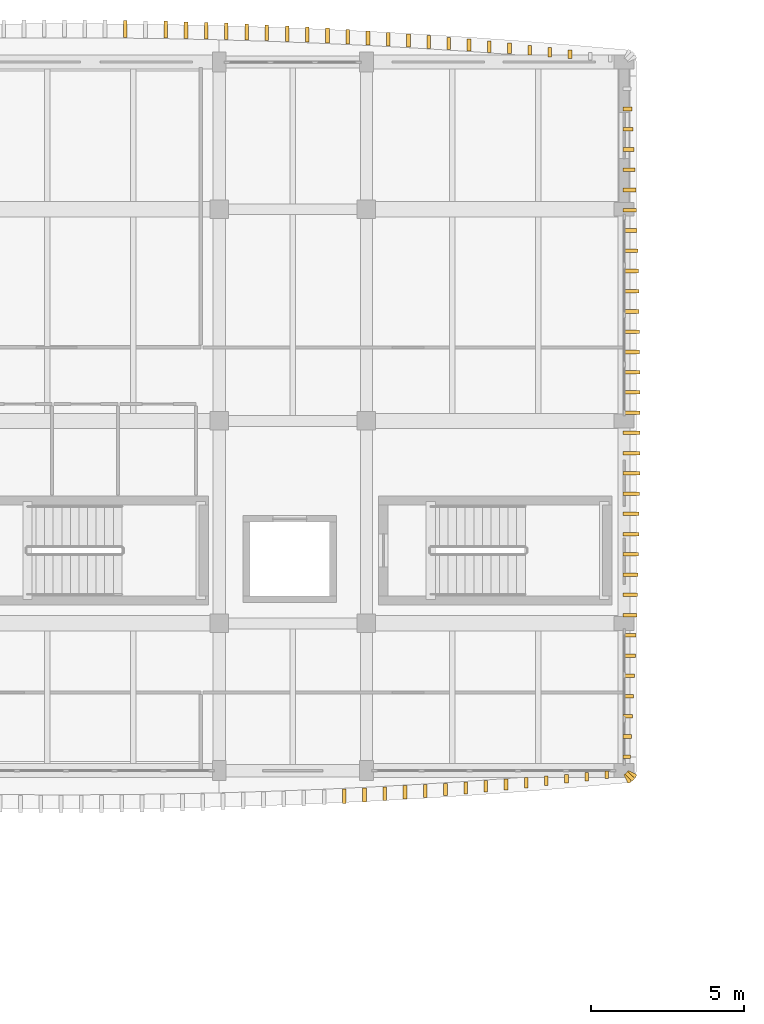
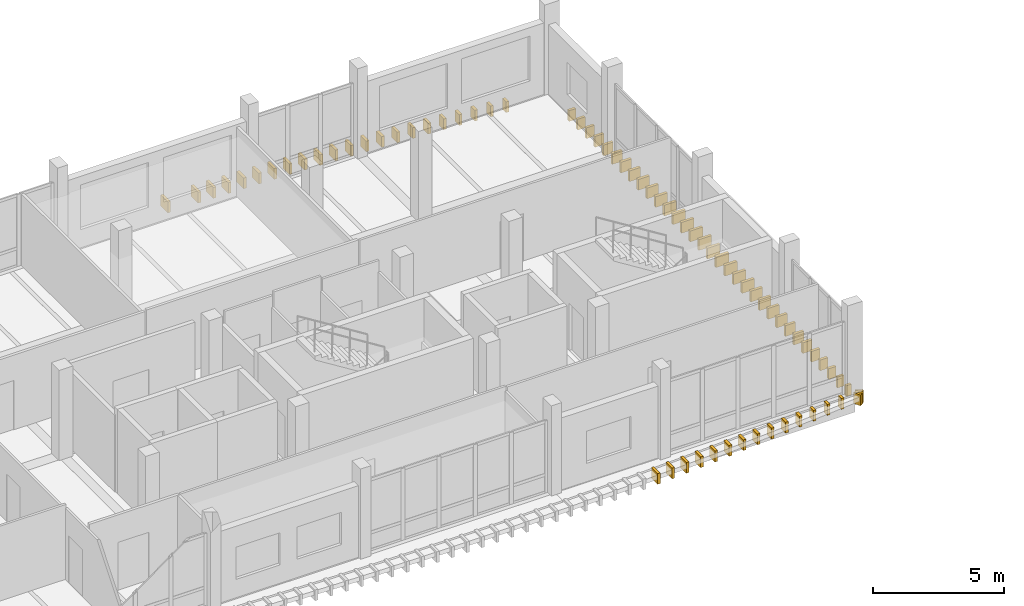
# One storey, part 19 of 20: 72 coverings.
"""IFC4 building model written with IfcOpenShell, lengths in metres."""

from ifc_helpers import new_model, si_unit, direction, frame, origin, origin_2d, place, context, subcontext, project, spatial, rectangle, extrude, material, layer, layer_set, type_object, element, save


model = new_model("IFC4")

# Units and contexts
model_context = context("Model", 3, precision=1e-05, world=origin(), true_north=direction((0.0, 1.0)))
body_context = subcontext(model_context, "Body", "Model", "MODEL_VIEW")
ifc_project = project(units=[si_unit("LENGTHUNIT", "METRE"), si_unit("AREAUNIT", "SQUARE_METRE"), si_unit("VOLUMEUNIT", "CUBIC_METRE"), si_unit("PLANEANGLEUNIT", "RADIAN"), si_unit("MASSUNIT", "GRAM", prefix="KILO")], contexts=[model_context])

# Site, building, storey
site_placement = place(None, origin())
site = spatial("IfcSite", under=ifc_project, at=site_placement, CompositionType="ELEMENT")
building_placement = place(site_placement, origin())
building = spatial("IfcBuilding", under=site, at=building_placement, Name="Dornvale Research Institute", CompositionType="ELEMENT")
storey_placement = place(building_placement, frame((0.0, 0.0, 34.199951171875)))
storey = spatial("IfcBuildingStorey", under=building, at=storey_placement, Name="L07", CompositionType="ELEMENT", Elevation=34.199951171875)

# Coverings
ifc_material = material(Name="Polychrome Glazed Terracotta Visor Rib Ceramic", Category="masonry")
ifc_layer = layer(ifc_material, 0.1201171875)
ifc_layer_set = layer_set([ifc_layer], Name="Polychrome Glazed Terracotta Visor Rib Ceramic")
covering_type = type_object("IfcCoveringType", Name="Covering_VisorBlade_Main", PredefinedType="CLADDING", material=ifc_layer_set)
covering_1_placement = place(storey_placement, frame((32.280517578125, 98.168212890625, -0.489990234375), z_axis=(0.0, 0.0, 1.0), x_axis=(0.0, 1.0, 0.0)))
element("IfcCovering", 1, at=covering_1_placement, inside=storey, type_object=covering_type, Name="L07 V5 canted glazed terracotta visor blade #1236", PredefinedType="CLADDING", context=body_context, shape_type="SweptSolid", body=[
    extrude(rectangle(XDim=0.47509765625, YDim=0.1201171875, at=origin_2d()), origin(), (0.0, 0.0, 1.0), 0.5),
])
covering_2_placement = place(storey_placement, frame((32.939697265625, 98.205322265625, -0.489990234375), z_axis=(0.0, 0.0, 1.0), x_axis=(0.0, 1.0, 0.0)))
element("IfcCovering", 2, at=covering_2_placement, inside=storey, type_object=covering_type, Name="L07 V5 canted glazed terracotta visor blade #1237", PredefinedType="CLADDING", context=body_context, shape_type="SweptSolid", body=[
    extrude(rectangle(XDim=0.4619140625, YDim=0.1201171875, at=origin_2d()), origin(), (0.0, 0.0, 1.0), 0.5),
])
covering_3_placement = place(storey_placement, frame((33.5986328125, 98.247314453125, -0.489990234375), z_axis=(0.0, 0.0, 1.0), x_axis=(0.0, 1.0, 0.0)))
element("IfcCovering", 3, at=covering_3_placement, inside=storey, type_object=covering_type, Name="L07 V5 canted glazed terracotta visor blade #1238", PredefinedType="CLADDING", context=body_context, shape_type="SweptSolid", body=[
    extrude(rectangle(XDim=0.447998046875, YDim=0.1201171875, at=origin_2d()), origin(), (0.0, 0.0, 1.0), 0.5),
])
covering_4_placement = place(storey_placement, frame((34.2578125, 98.290283203125, -0.489990234375), z_axis=(0.0, 0.0, 1.0), x_axis=(0.0, 1.0, 0.0)))
element("IfcCovering", 4, at=covering_4_placement, inside=storey, type_object=covering_type, Name="L07 V5 canted glazed terracotta visor blade #1239", PredefinedType="CLADDING", context=body_context, shape_type="SweptSolid", body=[
    extrude(rectangle(XDim=0.43408203125, YDim=0.1201171875, at=origin_2d()), origin(), (0.0, 0.0, 1.0), 0.5),
])
covering_5_placement = place(storey_placement, frame((34.916748046875, 98.3359375, -0.489990234375), z_axis=(0.0, 0.0, 1.0), x_axis=(0.0, 1.0, 0.0)))
element("IfcCovering", 5, at=covering_5_placement, inside=storey, type_object=covering_type, Name="L07 V5 canted glazed terracotta visor blade #1240", PredefinedType="CLADDING", context=body_context, shape_type="SweptSolid", body=[
    extrude(rectangle(XDim=0.41796875, YDim=0.1201171875, at=origin_2d()), origin(), (0.0, 0.0, 1.0), 0.5),
])
covering_6_placement = place(storey_placement, frame((35.575439453125, 98.3857421875, -0.489990234375), z_axis=(0.0, 0.0, 1.0), x_axis=(0.0, 1.0, 0.0)))
element("IfcCovering", 6, at=covering_6_placement, inside=storey, type_object=covering_type, Name="L07 V5 canted glazed terracotta visor blade #1241", PredefinedType="CLADDING", context=body_context, shape_type="SweptSolid", body=[
    extrude(rectangle(XDim=0.402099609375, YDim=0.1201171875, at=origin_2d()), origin(), (0.0, 0.0, 1.0), 0.5),
])
covering_7_placement = place(storey_placement, frame((36.23388671875, 98.43603515625, -0.489990234375), z_axis=(0.0, 0.0, 1.0), x_axis=(0.0, 1.0, 0.0)))
element("IfcCovering", 7, at=covering_7_placement, inside=storey, type_object=covering_type, Name="L07 V5 canted glazed terracotta visor blade #1242", PredefinedType="CLADDING", context=body_context, shape_type="SweptSolid", body=[
    extrude(rectangle(XDim=0.385009765625, YDim=0.1201171875, at=origin_2d()), origin(), (0.0, 0.0, 1.0), 0.5),
])
covering_8_placement = place(storey_placement, frame((36.892333984375, 98.49072265625, -0.489990234375), z_axis=(0.0, 0.0, 1.0), x_axis=(0.0, 1.0, 0.0)))
element("IfcCovering", 8, at=covering_8_placement, inside=storey, type_object=covering_type, Name="L07 V5 canted glazed terracotta visor blade #1243", PredefinedType="CLADDING", context=body_context, shape_type="SweptSolid", body=[
    extrude(rectangle(XDim=0.366943359375, YDim=0.1201171875, at=origin_2d()), origin(), (0.0, 0.0, 1.0), 0.5),
])
covering_9_placement = place(storey_placement, frame((37.55078125, 98.547607421875, -0.489990234375), z_axis=(0.0, 0.0, 1.0), x_axis=(0.0, 1.0, 0.0)))
element("IfcCovering", 9, at=covering_9_placement, inside=storey, type_object=covering_type, Name="L07 V5 canted glazed terracotta visor blade #1244", PredefinedType="CLADDING", context=body_context, shape_type="SweptSolid", body=[
    extrude(rectangle(XDim=0.347900390625, YDim=0.1201171875, at=origin_2d()), origin(), (0.0, 0.0, 1.0), 0.5),
])
covering_10_placement = place(storey_placement, frame((38.208984375, 98.60595703125, -0.489990234375), z_axis=(0.0, 0.0, 1.0), x_axis=(0.0, 1.0, 0.0)))
element("IfcCovering", 10, at=covering_10_placement, inside=storey, type_object=covering_type, Name="L07 V5 canted glazed terracotta visor blade #1245", PredefinedType="CLADDING", context=body_context, shape_type="SweptSolid", body=[
    extrude(rectangle(XDim=0.327880859375, YDim=0.1201171875, at=origin_2d()), origin(), (0.0, 0.0, 1.0), 0.5),
])
covering_11_placement = place(storey_placement, frame((38.866943359375, 98.668701171875, -0.489990234375), z_axis=(0.0, 0.0, 1.0), x_axis=(0.0, 1.0, 0.0)))
element("IfcCovering", 11, at=covering_11_placement, inside=storey, type_object=covering_type, Name="L07 V5 canted glazed terracotta visor blade #1246", PredefinedType="CLADDING", context=body_context, shape_type="SweptSolid", body=[
    extrude(rectangle(XDim=0.30810546875, YDim=0.1201171875, at=origin_2d()), origin(), (0.0, 0.0, 1.0), 0.5),
])
covering_12_placement = place(storey_placement, frame((39.524658203125, 98.732421875, -0.489990234375), z_axis=(0.0, 0.0, 1.0), x_axis=(0.0, 1.0, 0.0)))
element("IfcCovering", 12, at=covering_12_placement, inside=storey, type_object=covering_type, Name="L07 V5 canted glazed terracotta visor blade #1247", PredefinedType="CLADDING", context=body_context, shape_type="SweptSolid", body=[
    extrude(rectangle(XDim=0.285888671875, YDim=0.1201171875, at=origin_2d()), origin(), (0.0, 0.0, 1.0), 0.5),
])
covering_13_placement = place(storey_placement, frame((40.182373046875, 98.800048828125, -0.489990234375), z_axis=(0.0, 0.0, 1.0), x_axis=(0.0, 1.0, 0.0)))
element("IfcCovering", 13, at=covering_13_placement, inside=storey, type_object=covering_type, Name="L07 V5 canted glazed terracotta visor blade #1248", PredefinedType="CLADDING", context=body_context, shape_type="SweptSolid", body=[
    extrude(rectangle(XDim=0.263916015625, YDim=0.1201171875, at=origin_2d()), origin(), (0.0, 0.0, 1.0), 0.5),
])
covering_14_placement = place(storey_placement, frame((40.839599609375, 98.869873046875, -0.489990234375), z_axis=(0.0, 0.0, 1.0), x_axis=(0.0, 1.0, 0.0)))
element("IfcCovering", 14, at=covering_14_placement, inside=storey, type_object=covering_type, Name="L07 V5 canted glazed terracotta visor blade #1249", PredefinedType="CLADDING", context=body_context, shape_type="SweptSolid", body=[
    extrude(rectangle(XDim=0.240966796875, YDim=0.1201171875, at=origin_2d()), origin(), (0.0, 0.0, 1.0), 0.5),
])
covering_15_placement = place(storey_placement, frame((39.63671875, 122.35693359375, -0.489990234375), z_axis=(0.0, 0.0, 1.0), x_axis=(0.0, 1.0, 0.0)))
element("IfcCovering", 15, at=covering_15_placement, inside=storey, type_object=covering_type, Name="L07 V5 canted glazed terracotta visor blade #1252", PredefinedType="CLADDING", context=body_context, shape_type="SweptSolid", body=[
    extrude(rectangle(XDim=0.282958984375, YDim=0.1201171875, at=origin_2d()), origin(), (0.0, 0.0, 1.0), 0.5),
])
covering_16_placement = place(storey_placement, frame((38.97900390625, 122.42041015625, -0.489990234375), z_axis=(0.0, 0.0, 1.0), x_axis=(0.0, 1.0, 0.0)))
element("IfcCovering", 16, at=covering_16_placement, inside=storey, type_object=covering_type, Name="L07 V5 canted glazed terracotta visor blade #1253", PredefinedType="CLADDING", context=body_context, shape_type="SweptSolid", body=[
    extrude(rectangle(XDim=0.303955078125, YDim=0.1201171875, at=origin_2d()), origin(), (0.0, 0.0, 1.0), 0.5),
])
covering_17_placement = place(storey_placement, frame((38.321044921875, 122.483642578125, -0.489990234375), z_axis=(0.0, 0.0, 1.0), x_axis=(0.0, 1.0, 0.0)))
element("IfcCovering", 17, at=covering_17_placement, inside=storey, type_object=covering_type, Name="L07 V5 canted glazed terracotta visor blade #1254", PredefinedType="CLADDING", context=body_context, shape_type="SweptSolid", body=[
    extrude(rectangle(XDim=0.324951171875, YDim=0.1201171875, at=origin_2d()), origin(), (0.0, 0.0, 1.0), 0.5),
])
covering_18_placement = place(storey_placement, frame((37.662841796875, 122.54296875, -0.489990234375), z_axis=(0.0, 0.0, 1.0), x_axis=(0.0, 1.0, 0.0)))
element("IfcCovering", 18, at=covering_18_placement, inside=storey, type_object=covering_type, Name="L07 V5 canted glazed terracotta visor blade #1255", PredefinedType="CLADDING", context=body_context, shape_type="SweptSolid", body=[
    extrude(rectangle(XDim=0.344970703125, YDim=0.1201171875, at=origin_2d()), origin(), (0.0, 0.0, 1.0), 0.5),
])
covering_19_placement = place(storey_placement, frame((37.004638671875, 122.599609375, -0.489990234375), z_axis=(0.0, 0.0, 1.0), x_axis=(0.0, 1.0, 0.0)))
element("IfcCovering", 19, at=covering_19_placement, inside=storey, type_object=covering_type, Name="L07 V5 canted glazed terracotta visor blade #1256", PredefinedType="CLADDING", context=body_context, shape_type="SweptSolid", body=[
    extrude(rectangle(XDim=0.364013671875, YDim=0.1201171875, at=origin_2d()), origin(), (0.0, 0.0, 1.0), 0.5),
])
covering_20_placement = place(storey_placement, frame((36.34619140625, 122.655517578125, -0.489990234375), z_axis=(0.0, 0.0, 1.0), x_axis=(0.0, 1.0, 0.0)))
element("IfcCovering", 20, at=covering_20_placement, inside=storey, type_object=covering_type, Name="L07 V5 canted glazed terracotta visor blade #1257", PredefinedType="CLADDING", context=body_context, shape_type="SweptSolid", body=[
    extrude(rectangle(XDim=0.382080078125, YDim=0.1201171875, at=origin_2d()), origin(), (0.0, 0.0, 1.0), 0.5),
])
covering_21_placement = place(storey_placement, frame((35.6875, 122.70556640625, -0.489990234375), z_axis=(0.0, 0.0, 1.0), x_axis=(0.0, 1.0, 0.0)))
element("IfcCovering", 21, at=covering_21_placement, inside=storey, type_object=covering_type, Name="L07 V5 canted glazed terracotta visor blade #1258", PredefinedType="CLADDING", context=body_context, shape_type="SweptSolid", body=[
    extrude(rectangle(XDim=0.39892578125, YDim=0.1201171875, at=origin_2d()), origin(), (0.0, 0.0, 1.0), 0.5),
])
covering_22_placement = place(storey_placement, frame((35.02880859375, 122.755859375, -0.489990234375), z_axis=(0.0, 0.0, 1.0), x_axis=(0.0, 1.0, 0.0)))
element("IfcCovering", 22, at=covering_22_placement, inside=storey, type_object=covering_type, Name="L07 V5 canted glazed terracotta visor blade #1259", PredefinedType="CLADDING", context=body_context, shape_type="SweptSolid", body=[
    extrude(rectangle(XDim=0.416015625, YDim=0.1201171875, at=origin_2d()), origin(), (0.0, 0.0, 1.0), 0.5),
])
covering_23_placement = place(storey_placement, frame((34.3701171875, 122.802001953125, -0.489990234375), z_axis=(0.0, 0.0, 1.0), x_axis=(0.0, 1.0, 0.0)))
element("IfcCovering", 23, at=covering_23_placement, inside=storey, type_object=covering_type, Name="L07 V5 canted glazed terracotta visor blade #1260", PredefinedType="CLADDING", context=body_context, shape_type="SweptSolid", body=[
    extrude(rectangle(XDim=0.430908203125, YDim=0.1201171875, at=origin_2d()), origin(), (0.0, 0.0, 1.0), 0.5),
])
covering_24_placement = place(storey_placement, frame((33.7109375, 122.845703125, -0.489990234375), z_axis=(0.0, 0.0, 1.0), x_axis=(0.0, 1.0, 0.0)))
element("IfcCovering", 24, at=covering_24_placement, inside=storey, type_object=covering_type, Name="L07 V5 canted glazed terracotta visor blade #1261", PredefinedType="CLADDING", context=body_context, shape_type="SweptSolid", body=[
    extrude(rectangle(XDim=0.446044921875, YDim=0.1201171875, at=origin_2d()), origin(), (0.0, 0.0, 1.0), 0.5),
])
covering_25_placement = place(storey_placement, frame((33.052001953125, 122.888427734375, -0.489990234375), z_axis=(0.0, 0.0, 1.0), x_axis=(0.0, 1.0, 0.0)))
element("IfcCovering", 25, at=covering_25_placement, inside=storey, type_object=covering_type, Name="L07 V5 canted glazed terracotta visor blade #1262", PredefinedType="CLADDING", context=body_context, shape_type="SweptSolid", body=[
    extrude(rectangle(XDim=0.4599609375, YDim=0.1201171875, at=origin_2d()), origin(), (0.0, 0.0, 1.0), 0.5),
])
covering_26_placement = place(storey_placement, frame((32.392578125, 122.925537109375, -0.489990234375), z_axis=(0.0, 0.0, 1.0), x_axis=(0.0, 1.0, 0.0)))
element("IfcCovering", 26, at=covering_26_placement, inside=storey, type_object=covering_type, Name="L07 V5 canted glazed terracotta visor blade #1263", PredefinedType="CLADDING", context=body_context, shape_type="SweptSolid", body=[
    extrude(rectangle(XDim=0.472900390625, YDim=0.1201171875, at=origin_2d()), origin(), (0.0, 0.0, 1.0), 0.5),
])
covering_27_placement = place(storey_placement, frame((31.7333984375, 122.9619140625, -0.489990234375), z_axis=(0.0, 0.0, 1.0), x_axis=(0.0, 1.0, 0.0)))
element("IfcCovering", 27, at=covering_27_placement, inside=storey, type_object=covering_type, Name="L07 V5 canted glazed terracotta visor blade #1264", PredefinedType="CLADDING", context=body_context, shape_type="SweptSolid", body=[
    extrude(rectangle(XDim=0.48388671875, YDim=0.1201171875, at=origin_2d()), origin(), (0.0, 0.0, 1.0), 0.5),
])
covering_28_placement = place(storey_placement, frame((31.073974609375, 122.99560546875, -0.489990234375), z_axis=(0.0, 0.0, 1.0), x_axis=(0.0, 1.0, 0.0)))
element("IfcCovering", 28, at=covering_28_placement, inside=storey, type_object=covering_type, Name="L07 V5 canted glazed terracotta visor blade #1265", PredefinedType="CLADDING", context=body_context, shape_type="SweptSolid", body=[
    extrude(rectangle(XDim=0.49609375, YDim=0.1201171875, at=origin_2d()), origin(), (0.0, 0.0, 1.0), 0.5),
])
covering_29_placement = place(storey_placement, frame((30.41455078125, 123.025390625, -0.489990234375), z_axis=(0.0, 0.0, 1.0), x_axis=(0.0, 1.0, 0.0)))
element("IfcCovering", 29, at=covering_29_placement, inside=storey, type_object=covering_type, Name="L07 V5 canted glazed terracotta visor blade #1266", PredefinedType="CLADDING", context=body_context, shape_type="SweptSolid", body=[
    extrude(rectangle(XDim=0.506103515625, YDim=0.1201171875, at=origin_2d()), origin(), (0.0, 0.0, 1.0), 0.5),
])
covering_30_placement = place(storey_placement, frame((29.7548828125, 123.05517578125, -0.489990234375), z_axis=(0.0, 0.0, 1.0), x_axis=(0.0, 1.0, 0.0)))
element("IfcCovering", 30, at=covering_30_placement, inside=storey, type_object=covering_type, Name="L07 V5 canted glazed terracotta visor blade #1267", PredefinedType="CLADDING", context=body_context, shape_type="SweptSolid", body=[
    extrude(rectangle(XDim=0.514892578125, YDim=0.1201171875, at=origin_2d()), origin(), (0.0, 0.0, 1.0), 0.5),
])
covering_31_placement = place(storey_placement, frame((29.09521484375, 123.0791015625, -0.489990234375), z_axis=(0.0, 0.0, 1.0), x_axis=(0.0, 1.0, 0.0)))
element("IfcCovering", 31, at=covering_31_placement, inside=storey, type_object=covering_type, Name="L07 V5 canted glazed terracotta visor blade #1268", PredefinedType="CLADDING", context=body_context, shape_type="SweptSolid", body=[
    extrude(rectangle(XDim=0.52392578125, YDim=0.1201171875, at=origin_2d()), origin(), (0.0, 0.0, 1.0), 0.5),
])
covering_32_placement = place(storey_placement, frame((28.435546875, 123.10205078125, -0.489990234375), z_axis=(0.0, 0.0, 1.0), x_axis=(0.0, 1.0, 0.0)))
element("IfcCovering", 32, at=covering_32_placement, inside=storey, type_object=covering_type, Name="L07 V5 canted glazed terracotta visor blade #1269", PredefinedType="CLADDING", context=body_context, shape_type="SweptSolid", body=[
    extrude(rectangle(XDim=0.531005859375, YDim=0.1201171875, at=origin_2d()), origin(), (0.0, 0.0, 1.0), 0.5),
])
covering_33_placement = place(storey_placement, frame((27.77587890625, 123.122314453125, -0.489990234375), z_axis=(0.0, 0.0, 1.0), x_axis=(0.0, 1.0, 0.0)))
element("IfcCovering", 33, at=covering_33_placement, inside=storey, type_object=covering_type, Name="L07 V5 canted glazed terracotta visor blade #1270", PredefinedType="CLADDING", context=body_context, shape_type="SweptSolid", body=[
    extrude(rectangle(XDim=0.5380859375, YDim=0.1201171875, at=origin_2d()), origin(), (0.0, 0.0, 1.0), 0.5),
])
covering_34_placement = place(storey_placement, frame((27.115966796875, 123.139404296875, -0.489990234375), z_axis=(0.0, 0.0, 1.0), x_axis=(0.0, 1.0, 0.0)))
element("IfcCovering", 34, at=covering_34_placement, inside=storey, type_object=covering_type, Name="L07 V5 canted glazed terracotta visor blade #1271", PredefinedType="CLADDING", context=body_context, shape_type="SweptSolid", body=[
    extrude(rectangle(XDim=0.5439453125, YDim=0.1201171875, at=origin_2d()), origin(), (0.0, 0.0, 1.0), 0.5),
])
covering_35_placement = place(storey_placement, frame((26.4560546875, 123.15576171875, -0.489990234375), z_axis=(0.0, 0.0, 1.0), x_axis=(0.0, 1.0, 0.0)))
element("IfcCovering", 35, at=covering_35_placement, inside=storey, type_object=covering_type, Name="L07 V5 canted glazed terracotta visor blade #1272", PredefinedType="CLADDING", context=body_context, shape_type="SweptSolid", body=[
    extrude(rectangle(XDim=0.549072265625, YDim=0.1201171875, at=origin_2d()), origin(), (0.0, 0.0, 1.0), 0.5),
])
covering_36_placement = place(storey_placement, frame((25.13623046875, 123.17626953125, -0.489990234375), z_axis=(0.0, 0.0, 1.0), x_axis=(0.0, 1.0, 0.0)))
element("IfcCovering", 36, at=covering_36_placement, inside=storey, type_object=covering_type, Name="L07 V5 canted glazed terracotta visor blade #1274", PredefinedType="CLADDING", context=body_context, shape_type="SweptSolid", body=[
    extrude(rectangle(XDim=0.555908203125, YDim=0.1201171875, at=origin_2d()), origin(), (0.0, 0.0, 1.0), 0.5),
])
covering_37_placement = place(storey_placement, frame((41.48291015625, 99.449951171875, -0.489990234375), z_axis=(0.0, 0.0, 1.0), x_axis=(1.0, 0.0, 0.0)))
element("IfcCovering", 37, at=covering_37_placement, inside=storey, type_object=covering_type, Name="L07 V5 canted glazed terracotta visor blade #1305", PredefinedType="CLADDING", context=body_context, shape_type="SweptSolid", body=[
    extrude(rectangle(XDim=0.24609375, YDim=0.1201171875, at=origin_2d()), origin(), (0.0, 0.0, 1.0), 0.5),
])
covering_38_placement = place(storey_placement, frame((41.5009765625, 100.110107421875, -0.489990234375), z_axis=(0.0, 0.0, 1.0), x_axis=(1.0, 0.0, 0.0)))
element("IfcCovering", 38, at=covering_38_placement, inside=storey, type_object=covering_type, Name="L07 V5 canted glazed terracotta visor blade #1306", PredefinedType="CLADDING", context=body_context, shape_type="SweptSolid", body=[
    extrude(rectangle(XDim=0.281982421875, YDim=0.1201171875, at=origin_2d()), origin(), (0.0, 0.0, 1.0), 0.5),
])
covering_39_placement = place(storey_placement, frame((41.51806640625, 100.77001953125, -0.489990234375), z_axis=(0.0, 0.0, 1.0), x_axis=(1.0, 0.0, 0.0)))
element("IfcCovering", 39, at=covering_39_placement, inside=storey, type_object=covering_type, Name="L07 V5 canted glazed terracotta visor blade #1307", PredefinedType="CLADDING", context=body_context, shape_type="SweptSolid", body=[
    extrude(rectangle(XDim=0.31591796875, YDim=0.1201171875, at=origin_2d()), origin(), (0.0, 0.0, 1.0), 0.5),
])
covering_40_placement = place(storey_placement, frame((41.533935546875, 101.429931640625, -0.489990234375), z_axis=(0.0, 0.0, 1.0), x_axis=(1.0, 0.0, 0.0)))
element("IfcCovering", 40, at=covering_40_placement, inside=storey, type_object=covering_type, Name="L07 V5 canted glazed terracotta visor blade #1308", PredefinedType="CLADDING", context=body_context, shape_type="SweptSolid", body=[
    extrude(rectangle(XDim=0.347900390625, YDim=0.1201171875, at=origin_2d()), origin(), (0.0, 0.0, 1.0), 0.5),
])
covering_41_placement = place(storey_placement, frame((41.549072265625, 102.090087890625, -0.489990234375), z_axis=(0.0, 0.0, 1.0), x_axis=(1.0, 0.0, 0.0)))
element("IfcCovering", 41, at=covering_41_placement, inside=storey, type_object=covering_type, Name="L07 V5 canted glazed terracotta visor blade #1309", PredefinedType="CLADDING", context=body_context, shape_type="SweptSolid", body=[
    extrude(rectangle(XDim=0.3779296875, YDim=0.1201171875, at=origin_2d()), origin(), (0.0, 0.0, 1.0), 0.5),
])
covering_42_placement = place(storey_placement, frame((41.5625, 102.75, -0.489990234375), z_axis=(0.0, 0.0, 1.0), x_axis=(1.0, 0.0, 0.0)))
element("IfcCovering", 42, at=covering_42_placement, inside=storey, type_object=covering_type, Name="L07 V5 canted glazed terracotta visor blade #1310", PredefinedType="CLADDING", context=body_context, shape_type="SweptSolid", body=[
    extrude(rectangle(XDim=0.405029296875, YDim=0.1201171875, at=origin_2d()), origin(), (0.0, 0.0, 1.0), 0.5),
])
covering_43_placement = place(storey_placement, frame((41.574951171875, 103.409912109375, -0.489990234375), z_axis=(0.0, 0.0, 1.0), x_axis=(1.0, 0.0, 0.0)))
element("IfcCovering", 43, at=covering_43_placement, inside=storey, type_object=covering_type, Name="L07 V5 canted glazed terracotta visor blade #1311", PredefinedType="CLADDING", context=body_context, shape_type="SweptSolid", body=[
    extrude(rectangle(XDim=0.429931640625, YDim=0.1201171875, at=origin_2d()), origin(), (0.0, 0.0, 1.0), 0.5),
])
covering_44_placement = place(storey_placement, frame((41.58642578125, 104.070068359375, -0.489990234375), z_axis=(0.0, 0.0, 1.0), x_axis=(1.0, 0.0, 0.0)))
element("IfcCovering", 44, at=covering_44_placement, inside=storey, type_object=covering_type, Name="L07 V5 canted glazed terracotta visor blade #1312", PredefinedType="CLADDING", context=body_context, shape_type="SweptSolid", body=[
    extrude(rectangle(XDim=0.452880859375, YDim=0.1201171875, at=origin_2d()), origin(), (0.0, 0.0, 1.0), 0.5),
])
covering_45_placement = place(storey_placement, frame((41.596923828125, 104.72998046875, -0.489990234375), z_axis=(0.0, 0.0, 1.0), x_axis=(1.0, 0.0, 0.0)))
element("IfcCovering", 45, at=covering_45_placement, inside=storey, type_object=covering_type, Name="L07 V5 canted glazed terracotta visor blade #1313", PredefinedType="CLADDING", context=body_context, shape_type="SweptSolid", body=[
    extrude(rectangle(XDim=0.47412109375, YDim=0.1201171875, at=origin_2d()), origin(), (0.0, 0.0, 1.0), 0.5),
])
covering_46_placement = place(storey_placement, frame((41.60595703125, 105.389892578125, -0.489990234375), z_axis=(0.0, 0.0, 1.0), x_axis=(1.0, 0.0, 0.0)))
element("IfcCovering", 46, at=covering_46_placement, inside=storey, type_object=covering_type, Name="L07 V5 canted glazed terracotta visor blade #1314", PredefinedType="CLADDING", context=body_context, shape_type="SweptSolid", body=[
    extrude(rectangle(XDim=0.491943359375, YDim=0.1201171875, at=origin_2d()), origin(), (0.0, 0.0, 1.0), 0.5),
])
covering_47_placement = place(storey_placement, frame((41.614013671875, 106.050048828125, -0.489990234375), z_axis=(0.0, 0.0, 1.0), x_axis=(1.0, 0.0, 0.0)))
element("IfcCovering", 47, at=covering_47_placement, inside=storey, type_object=covering_type, Name="L07 V5 canted glazed terracotta visor blade #1315", PredefinedType="CLADDING", context=body_context, shape_type="SweptSolid", body=[
    extrude(rectangle(XDim=0.508056640625, YDim=0.1201171875, at=origin_2d()), origin(), (0.0, 0.0, 1.0), 0.5),
])
covering_48_placement = place(storey_placement, frame((41.62109375, 106.7099609375, -0.489990234375), z_axis=(0.0, 0.0, 1.0), x_axis=(1.0, 0.0, 0.0)))
element("IfcCovering", 48, at=covering_48_placement, inside=storey, type_object=covering_type, Name="L07 V5 canted glazed terracotta visor blade #1316", PredefinedType="CLADDING", context=body_context, shape_type="SweptSolid", body=[
    extrude(rectangle(XDim=0.52197265625, YDim=0.1201171875, at=origin_2d()), origin(), (0.0, 0.0, 1.0), 0.5),
])
covering_49_placement = place(storey_placement, frame((41.626953125, 107.3701171875, -0.489990234375), z_axis=(0.0, 0.0, 1.0), x_axis=(1.0, 0.0, 0.0)))
element("IfcCovering", 49, at=covering_49_placement, inside=storey, type_object=covering_type, Name="L07 V5 canted glazed terracotta visor blade #1317", PredefinedType="CLADDING", context=body_context, shape_type="SweptSolid", body=[
    extrude(rectangle(XDim=0.533935546875, YDim=0.1201171875, at=origin_2d()), origin(), (0.0, 0.0, 1.0), 0.5),
])
covering_50_placement = place(storey_placement, frame((41.632080078125, 108.030029296875, -0.489990234375), z_axis=(0.0, 0.0, 1.0), x_axis=(1.0, 0.0, 0.0)))
element("IfcCovering", 50, at=covering_50_placement, inside=storey, type_object=covering_type, Name="L07 V5 canted glazed terracotta visor blade #1318", PredefinedType="CLADDING", context=body_context, shape_type="SweptSolid", body=[
    extrude(rectangle(XDim=0.5439453125, YDim=0.1201171875, at=origin_2d()), origin(), (0.0, 0.0, 1.0), 0.5),
])
covering_51_placement = place(storey_placement, frame((41.635498046875, 108.68994140625, -0.489990234375), z_axis=(0.0, 0.0, 1.0), x_axis=(1.0, 0.0, 0.0)))
element("IfcCovering", 51, at=covering_51_placement, inside=storey, type_object=covering_type, Name="L07 V5 canted glazed terracotta visor blade #1319", PredefinedType="CLADDING", context=body_context, shape_type="SweptSolid", body=[
    extrude(rectangle(XDim=0.551025390625, YDim=0.1201171875, at=origin_2d()), origin(), (0.0, 0.0, 1.0), 0.5),
])
covering_52_placement = place(storey_placement, frame((41.637939453125, 109.35009765625, -0.489990234375), z_axis=(0.0, 0.0, 1.0), x_axis=(1.0, 0.0, 0.0)))
element("IfcCovering", 52, at=covering_52_placement, inside=storey, type_object=covering_type, Name="L07 V5 canted glazed terracotta visor blade #1320", PredefinedType="CLADDING", context=body_context, shape_type="SweptSolid", body=[
    extrude(rectangle(XDim=0.555908203125, YDim=0.1201171875, at=origin_2d()), origin(), (0.0, 0.0, 1.0), 0.5),
])
covering_53_placement = place(storey_placement, frame((41.639404296875, 110.010009765625, -0.489990234375), z_axis=(0.0, 0.0, 1.0), x_axis=(1.0, 0.0, 0.0)))
element("IfcCovering", 53, at=covering_53_placement, inside=storey, type_object=covering_type, Name="L07 V5 canted glazed terracotta visor blade #1321", PredefinedType="CLADDING", context=body_context, shape_type="SweptSolid", body=[
    extrude(rectangle(XDim=0.55908203125, YDim=0.1201171875, at=origin_2d()), origin(), (0.0, 0.0, 1.0), 0.5),
])
covering_54_placement = place(storey_placement, frame((41.639892578125, 110.669921875, -0.489990234375), z_axis=(0.0, 0.0, 1.0), x_axis=(1.0, 0.0, 0.0)))
element("IfcCovering", 54, at=covering_54_placement, inside=storey, type_object=covering_type, Name="L07 V5 canted glazed terracotta visor blade #1322", PredefinedType="CLADDING", context=body_context, shape_type="SweptSolid", body=[
    extrude(rectangle(XDim=0.56005859375, YDim=0.1201171875, at=origin_2d()), origin(), (0.0, 0.0, 1.0), 0.5),
])
covering_55_placement = place(storey_placement, frame((41.638916015625, 111.330078125, -0.489990234375), z_axis=(0.0, 0.0, 1.0), x_axis=(1.0, 0.0, 0.0)))
element("IfcCovering", 55, at=covering_55_placement, inside=storey, type_object=covering_type, Name="L07 V5 canted glazed terracotta visor blade #1323", PredefinedType="CLADDING", context=body_context, shape_type="SweptSolid", body=[
    extrude(rectangle(XDim=0.55810546875, YDim=0.1201171875, at=origin_2d()), origin(), (0.0, 0.0, 1.0), 0.5),
])
covering_56_placement = place(storey_placement, frame((41.637451171875, 111.989990234375, -0.489990234375), z_axis=(0.0, 0.0, 1.0), x_axis=(1.0, 0.0, 0.0)))
element("IfcCovering", 56, at=covering_56_placement, inside=storey, type_object=covering_type, Name="L07 V5 canted glazed terracotta visor blade #1324", PredefinedType="CLADDING", context=body_context, shape_type="SweptSolid", body=[
    extrude(rectangle(XDim=0.554931640625, YDim=0.1201171875, at=origin_2d()), origin(), (0.0, 0.0, 1.0), 0.5),
])
covering_57_placement = place(storey_placement, frame((41.634521484375, 112.64990234375, -0.489990234375), z_axis=(0.0, 0.0, 1.0), x_axis=(1.0, 0.0, 0.0)))
element("IfcCovering", 57, at=covering_57_placement, inside=storey, type_object=covering_type, Name="L07 V5 canted glazed terracotta visor blade #1325", PredefinedType="CLADDING", context=body_context, shape_type="SweptSolid", body=[
    extrude(rectangle(XDim=0.549072265625, YDim=0.1201171875, at=origin_2d()), origin(), (0.0, 0.0, 1.0), 0.5),
])
covering_58_placement = place(storey_placement, frame((41.630615234375, 113.31005859375, -0.489990234375), z_axis=(0.0, 0.0, 1.0), x_axis=(1.0, 0.0, 0.0)))
element("IfcCovering", 58, at=covering_58_placement, inside=storey, type_object=covering_type, Name="L07 V5 canted glazed terracotta visor blade #1326", PredefinedType="CLADDING", context=body_context, shape_type="SweptSolid", body=[
    extrude(rectangle(XDim=0.541015625, YDim=0.1201171875, at=origin_2d()), origin(), (0.0, 0.0, 1.0), 0.5),
])
covering_59_placement = place(storey_placement, frame((41.625, 113.969970703125, -0.489990234375), z_axis=(0.0, 0.0, 1.0), x_axis=(1.0, 0.0, 0.0)))
element("IfcCovering", 59, at=covering_59_placement, inside=storey, type_object=covering_type, Name="L07 V5 canted glazed terracotta visor blade #1327", PredefinedType="CLADDING", context=body_context, shape_type="SweptSolid", body=[
    extrude(rectangle(XDim=0.530029296875, YDim=0.1201171875, at=origin_2d()), origin(), (0.0, 0.0, 1.0), 0.5),
])
covering_60_placement = place(storey_placement, frame((41.618896484375, 114.6298828125, -0.489990234375), z_axis=(0.0, 0.0, 1.0), x_axis=(1.0, 0.0, 0.0)))
element("IfcCovering", 60, at=covering_60_placement, inside=storey, type_object=covering_type, Name="L07 V5 canted glazed terracotta visor blade #1328", PredefinedType="CLADDING", context=body_context, shape_type="SweptSolid", body=[
    extrude(rectangle(XDim=0.51806640625, YDim=0.1201171875, at=origin_2d()), origin(), (0.0, 0.0, 1.0), 0.5),
])
covering_61_placement = place(storey_placement, frame((41.611572265625, 115.2900390625, -0.489990234375), z_axis=(0.0, 0.0, 1.0), x_axis=(1.0, 0.0, 0.0)))
element("IfcCovering", 61, at=covering_61_placement, inside=storey, type_object=covering_type, Name="L07 V5 canted glazed terracotta visor blade #1329", PredefinedType="CLADDING", context=body_context, shape_type="SweptSolid", body=[
    extrude(rectangle(XDim=0.5029296875, YDim=0.1201171875, at=origin_2d()), origin(), (0.0, 0.0, 1.0), 0.5),
])
covering_62_placement = place(storey_placement, frame((41.60302734375, 115.949951171875, -0.489990234375), z_axis=(0.0, 0.0, 1.0), x_axis=(1.0, 0.0, 0.0)))
element("IfcCovering", 62, at=covering_62_placement, inside=storey, type_object=covering_type, Name="L07 V5 canted glazed terracotta visor blade #1330", PredefinedType="CLADDING", context=body_context, shape_type="SweptSolid", body=[
    extrude(rectangle(XDim=0.486083984375, YDim=0.1201171875, at=origin_2d()), origin(), (0.0, 0.0, 1.0), 0.5),
])
covering_63_placement = place(storey_placement, frame((41.593017578125, 116.610107421875, -0.489990234375), z_axis=(0.0, 0.0, 1.0), x_axis=(1.0, 0.0, 0.0)))
element("IfcCovering", 63, at=covering_63_placement, inside=storey, type_object=covering_type, Name="L07 V5 canted glazed terracotta visor blade #1331", PredefinedType="CLADDING", context=body_context, shape_type="SweptSolid", body=[
    extrude(rectangle(XDim=0.466064453125, YDim=0.1201171875, at=origin_2d()), origin(), (0.0, 0.0, 1.0), 0.5),
])
covering_64_placement = place(storey_placement, frame((41.58251953125, 117.27001953125, -0.489990234375), z_axis=(0.0, 0.0, 1.0), x_axis=(1.0, 0.0, 0.0)))
element("IfcCovering", 64, at=covering_64_placement, inside=storey, type_object=covering_type, Name="L07 V5 canted glazed terracotta visor blade #1332", PredefinedType="CLADDING", context=body_context, shape_type="SweptSolid", body=[
    extrude(rectangle(XDim=0.445068359375, YDim=0.1201171875, at=origin_2d()), origin(), (0.0, 0.0, 1.0), 0.5),
])
covering_65_placement = place(storey_placement, frame((41.570556640625, 117.929931640625, -0.489990234375), z_axis=(0.0, 0.0, 1.0), x_axis=(1.0, 0.0, 0.0)))
element("IfcCovering", 65, at=covering_65_placement, inside=storey, type_object=covering_type, Name="L07 V5 canted glazed terracotta visor blade #1333", PredefinedType="CLADDING", context=body_context, shape_type="SweptSolid", body=[
    extrude(rectangle(XDim=0.4208984375, YDim=0.1201171875, at=origin_2d()), origin(), (0.0, 0.0, 1.0), 0.5),
])
covering_66_placement = place(storey_placement, frame((41.5576171875, 118.590087890625, -0.489990234375), z_axis=(0.0, 0.0, 1.0), x_axis=(1.0, 0.0, 0.0)))
element("IfcCovering", 66, at=covering_66_placement, inside=storey, type_object=covering_type, Name="L07 V5 canted glazed terracotta visor blade #1334", PredefinedType="CLADDING", context=body_context, shape_type="SweptSolid", body=[
    extrude(rectangle(XDim=0.39501953125, YDim=0.1201171875, at=origin_2d()), origin(), (0.0, 0.0, 1.0), 0.5),
])
covering_67_placement = place(storey_placement, frame((41.54345703125, 119.25, -0.489990234375), z_axis=(0.0, 0.0, 1.0), x_axis=(1.0, 0.0, 0.0)))
element("IfcCovering", 67, at=covering_67_placement, inside=storey, type_object=covering_type, Name="L07 V5 canted glazed terracotta visor blade #1335", PredefinedType="CLADDING", context=body_context, shape_type="SweptSolid", body=[
    extrude(rectangle(XDim=0.366943359375, YDim=0.1201171875, at=origin_2d()), origin(), (0.0, 0.0, 1.0), 0.5),
])
covering_68_placement = place(storey_placement, frame((41.528564453125, 119.909912109375, -0.489990234375), z_axis=(0.0, 0.0, 1.0), x_axis=(1.0, 0.0, 0.0)))
element("IfcCovering", 68, at=covering_68_placement, inside=storey, type_object=covering_type, Name="L07 V5 canted glazed terracotta visor blade #1336", PredefinedType="CLADDING", context=body_context, shape_type="SweptSolid", body=[
    extrude(rectangle(XDim=0.3369140625, YDim=0.1201171875, at=origin_2d()), origin(), (0.0, 0.0, 1.0), 0.5),
])
covering_69_placement = place(storey_placement, frame((41.511962890625, 120.570068359375, -0.489990234375), z_axis=(0.0, 0.0, 1.0), x_axis=(1.0, 0.0, 0.0)))
element("IfcCovering", 69, at=covering_69_placement, inside=storey, type_object=covering_type, Name="L07 V5 canted glazed terracotta visor blade #1337", PredefinedType="CLADDING", context=body_context, shape_type="SweptSolid", body=[
    extrude(rectangle(XDim=0.303955078125, YDim=0.1201171875, at=origin_2d()), origin(), (0.0, 0.0, 1.0), 0.5),
])
for number, where, z_axis, x_axis, name in (
    (70, (41.51416015625, 98.75537109375, -0.489990234375), (0.0, 0.0, 1.0), (0.422618261741, -0.906307787037, 0.0), "L07 V5 corner-wrapping visor blade #1339"),
    (71, (41.5908203125, 98.80908203125, -0.489990234375), (0.0, 0.0, 1.0), (0.707106781187, -0.707106781187, 0.0), "L07 V5 corner-wrapping visor blade #1340"),
    (72, (41.644775390625, 98.885986328125, -0.489990234375), (0.0, 0.0, 1.0), (0.906307787037, -0.422618261741, 0.0), "L07 V5 corner-wrapping visor blade #1341"),
):
    element("IfcCovering", number, at=place(storey_placement, frame(where, z_axis=z_axis, x_axis=x_axis)), inside=storey, type_object=covering_type, Name=name, PredefinedType="CLADDING", context=body_context, shape_type="SweptSolid", body=[
        extrude(rectangle(XDim=0.320068359375, YDim=0.1201171875, at=origin_2d()), origin(), (0.0, 0.0, 1.0), 0.5),
    ])

save(model, "model.ifc")
